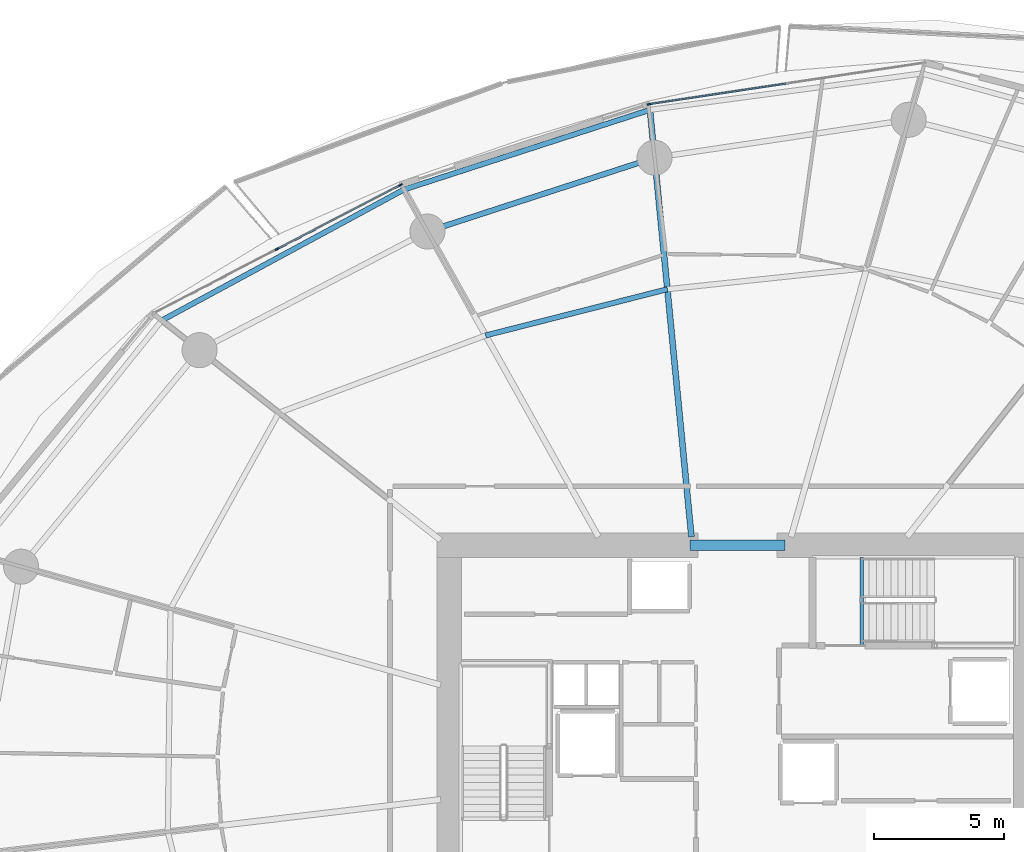
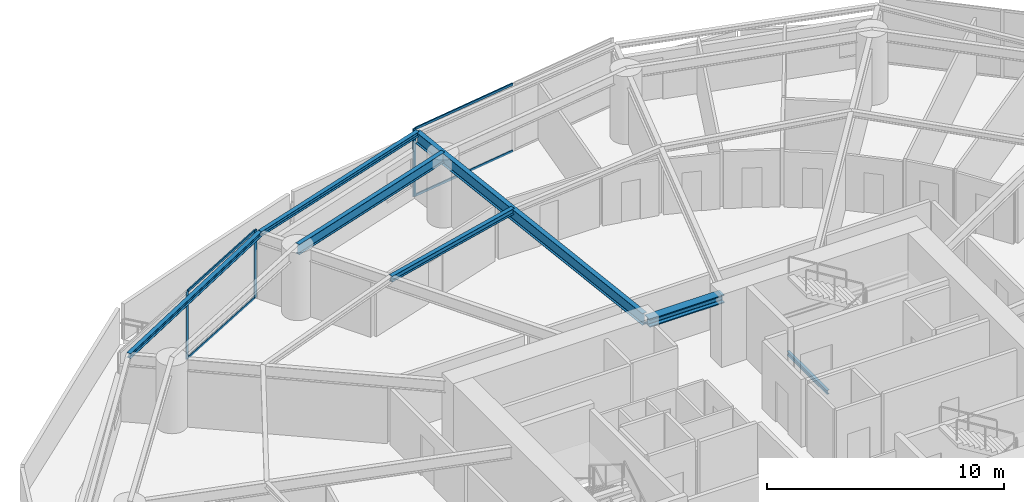
# One storey, part 13 of 31: 7 beams, 7 members, 2 elements without a shape of their own.
"""IFC4 building model written with IfcOpenShell, lengths in metres."""

from ifc_helpers import new_model, si_unit, direction, frame, origin, origin_2d, place, context, subcontext, project, spatial, rectangle, i_section, extrude, material, layer, layer_set, material_profile, profile_set, type_object, element, aggregate, save


model = new_model("IFC4")

# Units and contexts
model_context = context("Model", 3, precision=1e-05, world=origin(), true_north=direction((0.0, 1.0)))
body_context = subcontext(model_context, "Body", "Model", "MODEL_VIEW")
ifc_project = project(units=[si_unit("LENGTHUNIT", "METRE"), si_unit("AREAUNIT", "SQUARE_METRE"), si_unit("VOLUMEUNIT", "CUBIC_METRE"), si_unit("PLANEANGLEUNIT", "RADIAN"), si_unit("MASSUNIT", "GRAM", prefix="KILO")], contexts=[model_context])

# Site, building, storey
site_placement = place(None, origin())
site = spatial("IfcSite", under=ifc_project, at=site_placement, CompositionType="ELEMENT")
building_placement = place(site_placement, origin())
building = spatial("IfcBuilding", under=site, at=building_placement, Name="Kazma Halo Residences", CompositionType="ELEMENT")
storey_placement = place(building_placement, frame((0.0, 0.0, 52.64990234375)))
storey = spatial("IfcBuildingStorey", under=building, at=storey_placement, Name="L12", CompositionType="ELEMENT", Elevation=52.64990234375)

# Beams
ifc_material_1 = material(Name="Steel S355", Category="steel")
ifc_material_profile_1 = material_profile(ifc_material_1, i_section(OverallWidth=0.201904296875, OverallDepth=0.2470703125, WebThickness=0.00732421875, FlangeThickness=0.010986328125, FilletRadius=0.011962890625, at=origin_2d()), Name="W250x49.1")
ifc_profile_set_1 = profile_set([ifc_material_profile_1], Name="Steel S355")
beam_type_1 = type_object("IfcBeamType", Name="BM-BAL-CANT", PredefinedType="BEAM", material=ifc_profile_set_1)
beam_1_placement = place(storey_placement, frame((45.052734375, 67.230712890625, 3.376708984375), z_axis=(-0.951307246639, -0.308244257842, 0.0), x_axis=(0.308244257842, -0.951307246639, 0.0)))
element("IfcBeam", 1, at=beam_1_placement, inside=storey, type_object=beam_type_1, Name="L12 wave-balcony tie beam 04", PredefinedType="BEAM", context=body_context, shape_type="SweptSolid", body=[
    extrude(i_section(OverallWidth=0.201904296875, OverallDepth=0.2470703125, WebThickness=0.00732421875, FlangeThickness=0.010986328125, FilletRadius=0.011962890625, at=origin_2d()), origin(), (0.0, 0.0, 1.0), 9.949462890625),
])
beam_2_placement = place(storey_placement, frame((35.587646484375, 64.163818359375, 3.376708984375), z_axis=(-0.879759421466, -0.47541914175, 0.0), x_axis=(0.47541914175, -0.879759421466, 0.0)))
element("IfcBeam", 2, at=beam_2_placement, inside=storey, type_object=beam_type_1, Name="L12 wave-balcony tie beam 05", PredefinedType="BEAM", context=body_context, shape_type="SweptSolid", body=[
    extrude(i_section(OverallWidth=0.201904296875, OverallDepth=0.2470703125, WebThickness=0.00732421875, FlangeThickness=0.010986328125, FilletRadius=0.011962890625, at=origin_2d()), origin(), (0.0, 0.0, 1.0), 10.58935546875),
])
ifc_material_profile_2 = material_profile(ifc_material_1, i_section(OverallWidth=0.408935546875, OverallDepth=0.425048828125, WebThickness=0.03271484375, FlangeThickness=0.052490234375, FilletRadius=0.02001953125, at=origin_2d()), Name="W360x421")
ifc_profile_set_2 = profile_set([ifc_material_profile_2], Name="Steel S355")
beam_type_2 = type_object("IfcBeamType", Name="BM-CORE-W360H", PredefinedType="BEAM", material=ifc_profile_set_2)
beam_3_placement = place(storey_placement, frame((46.60009765625, 50.47509765625, 3.28759765625), z_axis=(1.0, 0.0, 0.0), x_axis=(0.0, 1.0, 0.0)))
element("IfcBeam", 3, at=beam_3_placement, inside=storey, type_object=beam_type_2, Name="L12 core coupling beam N", PredefinedType="BEAM", context=body_context, shape_type="SweptSolid", body=[
    extrude(i_section(OverallWidth=0.408935546875, OverallDepth=0.425048828125, WebThickness=0.03271484375, FlangeThickness=0.052490234375, FilletRadius=0.02001953125, at=origin_2d()), origin(), (0.0, 0.0, 1.0), 3.64990234375),
])
ifc_material_profile_3 = material_profile(ifc_material_1, i_section(OverallWidth=0.22802734375, OverallDepth=0.60791015625, WebThickness=0.01123046875, FlangeThickness=0.017333984375, FilletRadius=0.01806640625, at=origin_2d()), Name="W610x113")
ifc_profile_set_3 = profile_set([ifc_material_profile_3], Name="Steel S355")
beam_type_3 = type_object("IfcBeamType", Name="BM-RAD-W610", PredefinedType="BEAM", material=ifc_profile_set_3)
beam_4_placement = place(storey_placement, frame((46.64990234375, 50.800048828125, 3.196044921875), z_axis=(-0.096750509471, 0.995308665147, 0.0), x_axis=(-0.995308665147, -0.096750509471, 0.0)))
element("IfcBeam", 4, at=beam_4_placement, inside=storey, type_object=beam_type_3, Name="L12 radial floor beam 04", PredefinedType="BEAM", context=body_context, shape_type="SweptSolid", body=[
    extrude(i_section(OverallWidth=0.22802734375, OverallDepth=0.60791015625, WebThickness=0.01123046875, FlangeThickness=0.017333984375, FilletRadius=0.01806640625, at=origin_2d()), origin(), (0.0, 0.0, 1.0), 16.508056640625),
])
ifc_material_profile_4 = material_profile(ifc_material_1, i_section(OverallWidth=0.202880859375, OverallDepth=0.302978515625, WebThickness=0.007568359375, FlangeThickness=0.01318359375, FilletRadius=0.013916015625, at=origin_2d()), Name="W310x60")
ifc_profile_set_4 = profile_set([ifc_material_profile_4], Name="Steel S355")
beam_type_4 = type_object("IfcBeamType", Name="BM-SEC-W310A", PredefinedType="JOIST", material=ifc_profile_set_4)
beam_5_placement = place(storey_placement, frame((45.7236328125, 60.329833984375, 3.3486328125), z_axis=(-0.969127021388, -0.246561993047, 0.0), x_axis=(0.246561993047, -0.969127021388, 0.0)))
element("IfcBeam", 5, at=beam_5_placement, inside=storey, type_object=beam_type_4, Name="L12 circumferential floor joist 04", PredefinedType="JOIST", context=body_context, shape_type="SweptSolid", body=[
    extrude(i_section(OverallWidth=0.202880859375, OverallDepth=0.302978515625, WebThickness=0.007568359375, FlangeThickness=0.01318359375, FilletRadius=0.013916015625, at=origin_2d()), origin(), (0.0, 0.0, 1.0), 7.21533203125),
])
ifc_material_profile_5 = material_profile(ifc_material_1, i_section(OverallWidth=0.208984375, OverallDepth=0.532958984375, WebThickness=0.01025390625, FlangeThickness=0.015625, FilletRadius=0.01611328125, at=origin_2d()), Name="W530x92")
ifc_profile_set_5 = profile_set([ifc_material_profile_5], Name="Steel S355")
beam_type_5 = type_object("IfcBeamType", Name="BM-SPN-W530", PredefinedType="BEAM", material=ifc_profile_set_5)
beam_6_placement = place(storey_placement, frame((45.231689453125, 65.389404296875, 3.233642578125), z_axis=(-0.951054956346, -0.309021795363, 0.0), x_axis=(0.309021795363, -0.951054956346, 0.0)))
element("IfcBeam", 6, at=beam_6_placement, inside=storey, type_object=beam_type_5, Name="L12 perimeter ring beam 04", PredefinedType="BEAM", context=body_context, shape_type="SweptSolid", body=[
    extrude(i_section(OverallWidth=0.208984375, OverallDepth=0.532958984375, WebThickness=0.01025390625, FlangeThickness=0.015625, FilletRadius=0.01611328125, at=origin_2d()), origin(), (0.0, 0.0, 1.0), 9.189697265625),
])
ifc_material_profile_6 = material_profile(ifc_material_1, i_section(OverallWidth=0.133056640625, OverallDepth=0.20703125, WebThickness=0.005859375, FlangeThickness=0.00830078125, FilletRadius=0.010009765625, at=origin_2d()), Name="W200x26.6")
ifc_profile_set_6 = profile_set([ifc_material_profile_6], Name="Steel S355")
beam_type_6 = type_object("IfcBeamType", Name="BM-TRIM-W200", PredefinedType="BEAM", material=ifc_profile_set_6)
beam_7_placement = place(storey_placement, frame((53.199951171875, 46.6201171875, -0.35986328125), z_axis=(0.0, 1.0, 0.0), x_axis=(-1.0, 0.0, 0.0)))
element("IfcBeam", 7, at=beam_7_placement, inside=storey, type_object=beam_type_6, Name="L12 ST-02 floor landing support beam", PredefinedType="BEAM", context=body_context, shape_type="SweptSolid", body=[
    extrude(i_section(OverallWidth=0.133056640625, OverallDepth=0.20703125, WebThickness=0.005859375, FlangeThickness=0.00830078125, FilletRadius=0.010009765625, at=origin_2d()), origin(), (0.0, 0.0, 1.0), 3.3798828125),
])

# Curtain wall, member
ifc_material_2 = material(Name="Aluminium AW-6063 T6 and Triple-Silver Low-E Glass", Category="aluminium")
ifc_layer = layer(ifc_material_2, 0.159912109375)
ifc_layer_set = layer_set([ifc_layer], Name="Aluminium AW-6063 T6 and Triple-Silver Low-E Glass")
curtain_wall_type = type_object("IfcCurtainWallType", Name="CW-SYS-2", PredefinedType="NOTDEFINED", material=ifc_layer_set)
curtain_wall_1_placement = place(storey_placement, origin())
curtain_wall_1 = element("IfcCurtainWall", 8, at=curtain_wall_1_placement, inside=storey, type_object=curtain_wall_type, Name="L12 unitised curtain wall B03", PredefinedType="NOTDEFINED")
ifc_material_3 = material(Name="Aluminium AW-6063 T6", Category="aluminium")
ifc_material_profile_7 = material_profile(ifc_material_3, rectangle(XDim=0.06005859375, YDim=0.159912109375, at=origin_2d()), Name="CWM-60x160")
ifc_profile_set_7 = profile_set([ifc_material_profile_7], Name="Aluminium AW-6063 T6")
member_type_1 = type_object("IfcMemberType", Name="CW-SYS-2-MUL", PredefinedType="MULLION", material=ifc_profile_set_7)
member_1_placement = place(storey_placement, frame((45.018310546875, 67.447509765625, 0.0), z_axis=(0.0, 0.0, 1.0), x_axis=(0.148657272805, -0.988888777994, 0.0)))
member_1 = element("IfcMember", 9, at=member_1_placement, type_object=member_type_1, Name="CWS-2 mullion 3", PredefinedType="MULLION", context=body_context, shape_type="SweptSolid", body=[
    extrude(rectangle(XDim=0.06005859375, YDim=0.159912109375, at=origin_2d()), origin(), (0.0, 0.0, 1.0), 3.5),
])

# Curtain wall, members
curtain_wall_2_placement = place(storey_placement, origin())
curtain_wall_2 = element("IfcCurtainWall", 10, at=curtain_wall_2_placement, inside=storey, type_object=curtain_wall_type, Name="L12 unitised curtain wall B05", PredefinedType="NOTDEFINED")
member_2_placement = place(storey_placement, frame((35.45458984375, 64.340087890625, 0.0), z_axis=(0.0, 0.0, 1.0), x_axis=(0.460995912628, -0.887402258584, 0.0)))
member_2 = element("IfcMember", 11, at=member_2_placement, type_object=member_type_1, Name="CWS-2 mullion 1", PredefinedType="MULLION", context=body_context, shape_type="SweptSolid", body=[
    extrude(rectangle(XDim=0.06005859375, YDim=0.159912109375, at=origin_2d()), origin(), (0.0, 0.0, 1.0), 3.5),
])
member_3_placement = place(storey_placement, frame((30.7080078125, 61.874267578125, 0.0), z_axis=(0.0, 0.0, 1.0), x_axis=(0.460995912628, -0.887402258584, 0.0)))
member_3 = element("IfcMember", 12, at=member_3_placement, type_object=member_type_1, Name="CWS-2 mullion 2", PredefinedType="MULLION", context=body_context, shape_type="SweptSolid", body=[
    extrude(rectangle(XDim=0.06005859375, YDim=0.159912109375, at=origin_2d()), origin(), (0.0, 0.0, 1.0), 3.5),
])

# Member
ifc_material_profile_8 = material_profile(ifc_material_3, rectangle(XDim=0.06005859375, YDim=0.1201171875, at=origin_2d()), Name="CWT-60x120")
ifc_profile_set_8 = profile_set([ifc_material_profile_8], Name="Aluminium AW-6063 T6")
member_type_2 = type_object("IfcMemberType", Name="CW-SYS-2-TRN", PredefinedType="USERDEFINED", material=ifc_profile_set_8)
member_4_placement = place(storey_placement, frame((50.278076171875, 68.238037109375, 0.030029296875), z_axis=(-0.98889195415, -0.148636143041, 0.0), x_axis=(0.148636143041, -0.98889195415, 0.0)))
member_4 = element("IfcMember", 13, at=member_4_placement, type_object=member_type_2, Name="CWS-2 transom 2.1", ObjectType="TRANSOM", PredefinedType="USERDEFINED", context=body_context, shape_type="SweptSolid", body=[
    extrude(rectangle(XDim=0.06005859375, YDim=0.1201171875, at=origin_2d()), origin(), (0.0, 0.0, 1.0), 5.2890625),
])

member_5_placement = place(storey_placement, frame((50.278076171875, 68.238037109375, 3.47021484375), z_axis=(-0.98889195415, -0.148636143041, 0.0), x_axis=(0.148636143041, -0.98889195415, 0.0)))
member_5 = element("IfcMember", 14, at=member_5_placement, type_object=member_type_2, Name="CWS-2 transom 2.2", ObjectType="TRANSOM", PredefinedType="USERDEFINED", context=body_context, shape_type="SweptSolid", body=[
    extrude(rectangle(XDim=0.06005859375, YDim=0.1201171875, at=origin_2d()), origin(), (0.0, 0.0, 1.0), 5.2890625),
])

aggregate(curtain_wall_1, [member_1, member_4, member_5])

member_6_placement = place(storey_placement, frame((35.427978515625, 64.326171875, 0.030029296875), z_axis=(-0.887414738583, -0.460971888238, 0.0), x_axis=(0.460971888238, -0.887414738583, 0.0)))
member_6 = element("IfcMember", 15, at=member_6_placement, type_object=member_type_2, Name="CWS-2 transom 1.1", ObjectType="TRANSOM", PredefinedType="USERDEFINED", context=body_context, shape_type="SweptSolid", body=[
    extrude(rectangle(XDim=0.06005859375, YDim=0.1201171875, at=origin_2d()), origin(), (0.0, 0.0, 1.0), 5.288818359375),
])

member_7_placement = place(storey_placement, frame((35.427978515625, 64.326171875, 3.47021484375), z_axis=(-0.887414738583, -0.460971888238, 0.0), x_axis=(0.460971888238, -0.887414738583, 0.0)))
member_7 = element("IfcMember", 16, at=member_7_placement, type_object=member_type_2, Name="CWS-2 transom 1.2", ObjectType="TRANSOM", PredefinedType="USERDEFINED", context=body_context, shape_type="SweptSolid", body=[
    extrude(rectangle(XDim=0.06005859375, YDim=0.1201171875, at=origin_2d()), origin(), (0.0, 0.0, 1.0), 5.288818359375),
])

aggregate(curtain_wall_2, [member_2, member_3, member_6, member_7])

save(model, "model.ifc")
